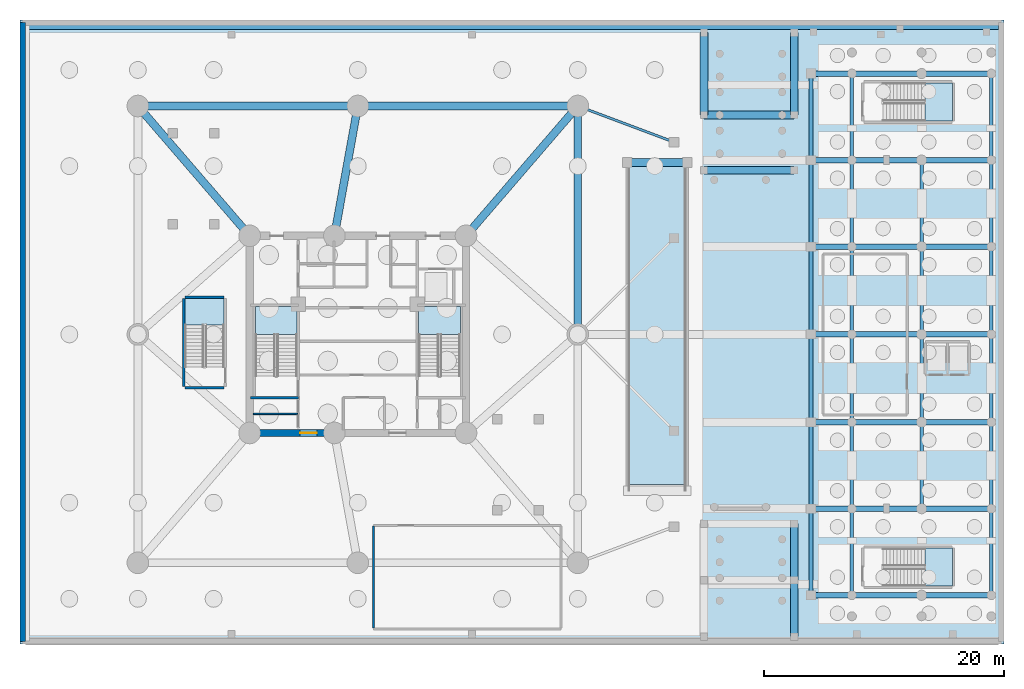
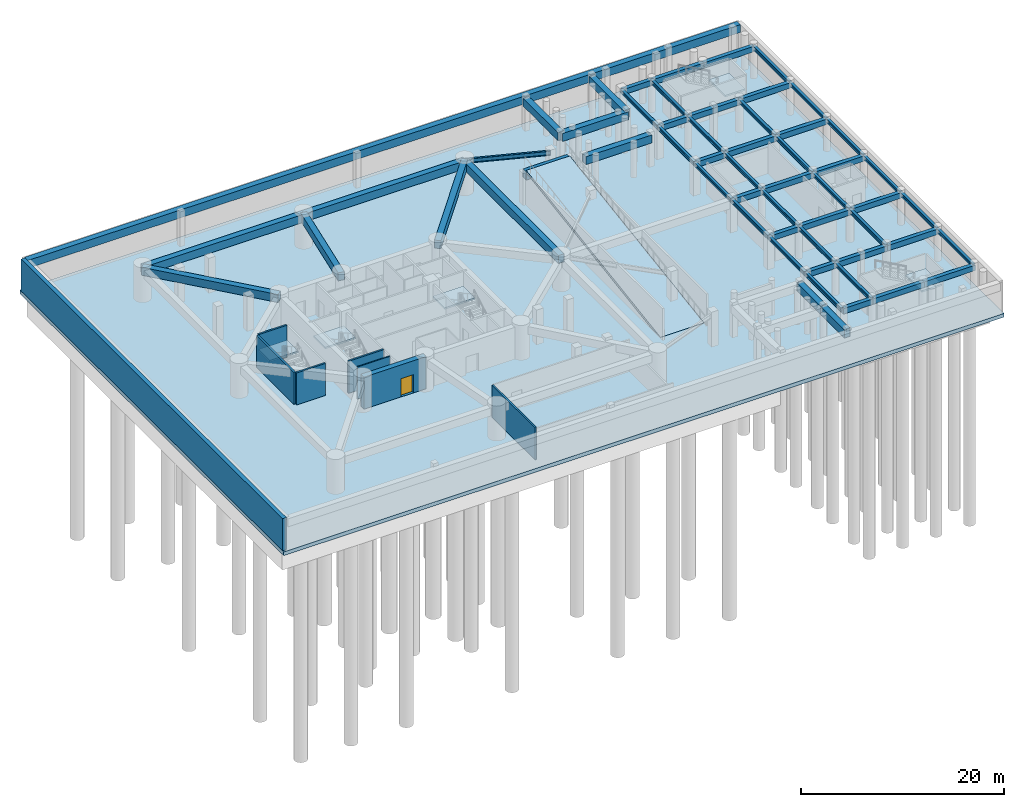
# One storey, part 3 of 13: 58 beams, 8 walls, 7 slabs, 1 door, 1 opening, 5 elements without a shape of their own.
"""IFC4 building model written with IfcOpenShell, lengths in metres."""

from ifc_helpers import new_model, si_unit, direction, frame, frame_2d, origin, origin_with_axes, origin_2d, place, context, subcontext, project, spatial, polyline, rectangle, i_section, outline, extrude, source, transform, mapped, material, layer, layer_set, material_profile, profile_set, type_object, element, fill, aggregate, save


model = new_model("IFC4")

# Units and contexts
model_context = context("Model", 3, precision=1e-05, world=origin(), true_north=direction((0.0, 1.0)))
body_context = subcontext(model_context, "Body", "Model", "MODEL_VIEW")
ifc_project = project(units=[si_unit("LENGTHUNIT", "METRE"), si_unit("AREAUNIT", "SQUARE_METRE"), si_unit("VOLUMEUNIT", "CUBIC_METRE"), si_unit("PLANEANGLEUNIT", "RADIAN"), si_unit("MASSUNIT", "GRAM", prefix="KILO")], contexts=[model_context])

# Site, building, storey
site_placement = place(None, origin())
site = spatial("IfcSite", under=ifc_project, at=site_placement, CompositionType="ELEMENT")
building_placement = place(site_placement, origin())
building = spatial("IfcBuilding", under=site, at=building_placement, Name="Karkom Vertical University and Central Library", CompositionType="ELEMENT")
storey_placement = place(building_placement, frame((0.0, 0.0, -8.39990234375)))
storey = spatial("IfcBuildingStorey", under=building, at=storey_placement, Name="B02", CompositionType="ELEMENT", Elevation=-8.39990234375)

# Beams
ifc_material_1 = material(Name="Concrete C50/60", Category="concrete")
ifc_material_profile_1 = material_profile(ifc_material_1, rectangle(XDim=0.64990234375, YDim=0.949951171875, at=origin_2d()), Name="RCG-650x950")
ifc_profile_set_1 = profile_set([ifc_material_profile_1], Name="Concrete C50/60")
beam_type_1 = type_object("IfcBeamType", Name="STR-BM-BG-1", PredefinedType="USERDEFINED", material=ifc_profile_set_1)
shared_shape_1 = source(origin_with_axes(), body_context, "Body", "SweptSolid", [
    extrude(rectangle(XDim=0.64990234375, YDim=0.949951171875, at=origin_2d()), origin(), (0.0, 0.0, 1.0), 18.300048828125),
])
for number, where, z_axis, x_axis, name in (
    (1, (10.199951171875, 45.5, 3.375), (1.0, 0.0, 0.0), (0.0, 1.0, 0.0), "Basement 02 Podium Primary Girder 07"),
    (2, (28.5, 45.5, 3.375), (1.0, 0.0, 0.0), (0.0, 1.0, 0.0), "Basement 02 Podium Primary Girder 08"),
):
    element("IfcBeam", number, at=place(storey_placement, frame(where, z_axis=z_axis, x_axis=x_axis)), inside=storey, type_object=beam_type_1, Name=name, ObjectType="GIRDER", PredefinedType="USERDEFINED", context=body_context, shape_type="MappedRepresentation", body=[
        mapped(shared_shape_1, transform((0.0, 0.0, 0.0), scale=1.0)),
    ])
shared_shape_2 = source(origin_with_axes(), body_context, "Body", "SweptSolid", [
    extrude(rectangle(XDim=0.64990234375, YDim=0.949951171875, at=origin_2d()), origin(), (0.0, 0.0, 1.0), 19.0),
])
beam_1_placement = place(storey_placement, frame((46.800048828125, 26.5, 3.375), z_axis=(0.0, 1.0, 0.0), x_axis=(-1.0, 0.0, 0.0)))
element("IfcBeam", 3, at=beam_1_placement, inside=storey, type_object=beam_type_1, Name="Basement 02 Podium Primary Girder 06", ObjectType="GIRDER", PredefinedType="USERDEFINED", context=body_context, shape_type="MappedRepresentation", body=[
    mapped(shared_shape_2, transform((0.0, 0.0, 0.0), scale=1.0)),
])
shared_shape_3 = source(origin_with_axes(), body_context, "Body", "SweptSolid", [
    extrude(rectangle(XDim=0.64990234375, YDim=0.949951171875, at=origin_2d()), origin(), (0.0, 0.0, 1.0), 14.25244140625),
])
for number, where, z_axis, x_axis, name in (
    (4, (10.199951171875, 45.5, 3.375), (0.652523408586, -0.757768567076, 0.0), (0.757768567076, 0.652523408586, 0.0), "Basement 02 Podium Primary Girder 12"),
    (5, (46.800048828125, 45.5, 3.375), (-0.652523408586, -0.757768567076, 0.0), (0.757768567076, -0.652523408586, 0.0), "Basement 02 Podium Primary Girder 14"),
):
    element("IfcBeam", number, at=place(storey_placement, frame(where, z_axis=z_axis, x_axis=x_axis)), inside=storey, type_object=beam_type_1, Name=name, ObjectType="GIRDER", PredefinedType="USERDEFINED", context=body_context, shape_type="MappedRepresentation", body=[
        mapped(shared_shape_3, transform((0.0, 0.0, 0.0), scale=1.0)),
    ])
shared_shape_4 = source(origin_with_axes(), body_context, "Body", "SweptSolid", [
    extrude(rectangle(XDim=0.64990234375, YDim=0.949951171875, at=origin_2d()), origin(), (0.0, 0.0, 1.0), 10.974609375),
])
beam_2_placement = place(storey_placement, frame((28.5, 45.5, 3.375), z_axis=(-0.177677443813, -0.984088779511, 0.0), x_axis=(0.984088779511, -0.177677443813, 0.0)))
element("IfcBeam", 6, at=beam_2_placement, inside=storey, type_object=beam_type_1, Name="Basement 02 Podium Primary Girder 13", ObjectType="GIRDER", PredefinedType="USERDEFINED", context=body_context, shape_type="MappedRepresentation", body=[
    mapped(shared_shape_4, transform((0.0, 0.0, 0.0), scale=1.0)),
])
ifc_material_2 = material(Name="Steel S355", Category="steel")
ifc_material_profile_2 = material_profile(ifc_material_2, i_section(OverallWidth=0.199951171875, OverallDepth=0.5, WebThickness=0.01025390625, FlangeThickness=0.01611328125, FilletRadius=0.02099609375, at=origin_2d()), Name="IPE 500")
ifc_profile_set_2 = profile_set([ifc_material_profile_2], Name="Steel S355")
beam_type_2 = type_object("IfcBeamType", Name="STR-BM-SB-IPE500", PredefinedType="BEAM", material=ifc_profile_set_2)
shared_shape_5 = source(origin_with_axes(), body_context, "Body", "SweptSolid", [
    extrude(i_section(OverallWidth=0.199951171875, OverallDepth=0.5, WebThickness=0.01025390625, FlangeThickness=0.01611328125, FilletRadius=0.02099609375, at=origin_2d()), origin(), (0.0, 0.0, 1.0), 8.5439453125),
])
beam_3_placement = place(storey_placement, frame((46.800048828125, 45.5, 3.599853515625), z_axis=(0.936329177569, -0.351123441588, 0.0), x_axis=(0.351123441588, 0.936329177569, 0.0)))
element("IfcBeam", 7, at=beam_3_placement, inside=storey, type_object=beam_type_2, Name="Basement 02 Arcade Tie Beam 4", PredefinedType="BEAM", context=body_context, shape_type="MappedRepresentation", body=[
    mapped(shared_shape_5, transform((0.0, 0.0, 0.0), scale=1.0)),
])
shared_shape_6 = source(origin_with_axes(), body_context, "Body", "SweptSolid", [
    extrude(rectangle(XDim=0.64990234375, YDim=0.949951171875, at=origin_2d()), origin(), (0.0, 0.0, 1.0), 80.949951171875),
])
beam_4_placement = place(storey_placement, frame((0.85009765625, 52.199951171875, 3.375), z_axis=(1.0, 0.0, 0.0), x_axis=(0.0, 1.0, 0.0)))
element("IfcBeam", 8, at=beam_4_placement, inside=storey, type_object=beam_type_1, Name="Basement 02 North Perimeter Rim Girder", ObjectType="GIRDER", PredefinedType="USERDEFINED", context=body_context, shape_type="MappedRepresentation", body=[
    mapped(shared_shape_6, transform((0.0, 0.0, 0.0), scale=1.0)),
])
shared_shape_7 = source(origin_with_axes(), body_context, "Body", "SweptSolid", [
    extrude(rectangle(XDim=0.64990234375, YDim=0.949951171875, at=origin_2d()), origin(), (0.0, 0.0, 1.0), 5.0),
])
beam_5_placement = place(storey_placement, frame((50.89990234375, 40.800048828125, 3.375), z_axis=(1.0, 0.0, 0.0), x_axis=(0.0, 1.0, 0.0)))
element("IfcBeam", 9, at=beam_5_placement, inside=storey, type_object=beam_type_1, Name="Basement 02 Vehicle Ramp Top Bearing Girder", ObjectType="GIRDER", PredefinedType="USERDEFINED", context=body_context, shape_type="MappedRepresentation", body=[
    mapped(shared_shape_7, transform((0.0, 0.0, 0.0), scale=1.0)),
])
shared_shape_8 = source(origin_with_axes(), body_context, "Body", "SweptSolid", [
    extrude(rectangle(XDim=0.64990234375, YDim=0.949951171875, at=origin_2d()), origin(), (0.0, 0.0, 1.0), 4.699951171875),
])
for number, where, z_axis, x_axis, name in (
    (10, (64.800048828125, 1.35009765625, 3.375), (0.0, 1.0, 0.0), (-1.0, 0.0, 0.0), "Basement 02 Forecourt Longitudinal Girder 2.1"),
    (11, (64.800048828125, 6.050048828125, 3.375), (0.0, 1.0, 0.0), (-1.0, 0.0, 0.0), "Basement 02 Forecourt Longitudinal Girder 2.2"),
):
    element("IfcBeam", number, at=place(storey_placement, frame(where, z_axis=z_axis, x_axis=x_axis)), inside=storey, type_object=beam_type_1, Name=name, ObjectType="GIRDER", PredefinedType="USERDEFINED", context=body_context, shape_type="MappedRepresentation", body=[
        mapped(shared_shape_8, transform((0.0, 0.0, 0.0), scale=1.0)),
    ])
shared_shape_9 = source(origin_with_axes(), body_context, "Body", "SweptSolid", [
    extrude(rectangle(XDim=0.64990234375, YDim=0.949951171875, at=origin_2d()), origin(), (0.0, 0.0, 1.0), 7.5),
])
for number, where, z_axis, x_axis, name in (
    (12, (57.300048828125, 40.14990234375, 3.375), (1.0, 0.0, 0.0), (0.0, 1.0, 0.0), "Basement 02 Forecourt Transverse Girder 4"),
    (13, (57.300048828125, 44.75, 3.375), (1.0, 0.0, 0.0), (0.0, 1.0, 0.0), "Basement 02 Forecourt Transverse Girder 5"),
):
    element("IfcBeam", number, at=place(storey_placement, frame(where, z_axis=z_axis, x_axis=x_axis)), inside=storey, type_object=beam_type_1, Name=name, ObjectType="GIRDER", PredefinedType="USERDEFINED", context=body_context, shape_type="MappedRepresentation", body=[
        mapped(shared_shape_9, transform((0.0, 0.0, 0.0), scale=1.0)),
    ])
shared_shape_10 = source(origin_with_axes(), body_context, "Body", "SweptSolid", [
    extrude(rectangle(XDim=0.64990234375, YDim=0.949951171875, at=origin_2d()), origin(), (0.0, 0.0, 1.0), 6.85009765625),
])
for number, where, z_axis, x_axis, name in (
    (14, (57.300048828125, 44.75, 3.375), (0.0, 1.0, 0.0), (-1.0, 0.0, 0.0), "Basement 02 Forecourt Longitudinal Girder 1.5"),
    (15, (64.800048828125, 44.75, 3.375), (0.0, 1.0, 0.0), (-1.0, 0.0, 0.0), "Basement 02 Forecourt Longitudinal Girder 2.5"),
):
    element("IfcBeam", number, at=place(storey_placement, frame(where, z_axis=z_axis, x_axis=x_axis)), inside=storey, type_object=beam_type_1, Name=name, ObjectType="GIRDER", PredefinedType="USERDEFINED", context=body_context, shape_type="MappedRepresentation", body=[
        mapped(shared_shape_10, transform((0.0, 0.0, 0.0), scale=1.0)),
    ])
ifc_material_3 = material(Name="Concrete C40/50", Category="concrete")
ifc_material_profile_3 = material_profile(ifc_material_3, rectangle(XDim=0.449951171875, YDim=0.64990234375, at=origin_2d()), Name="RCB-450x650")
ifc_profile_set_3 = profile_set([ifc_material_profile_3], Name="Concrete C40/50")
beam_type_3 = type_object("IfcBeamType", Name="STR-BM-BG-4", PredefinedType="USERDEFINED", material=ifc_profile_set_3)
shared_shape_11 = source(origin_with_axes(), body_context, "Body", "SweptSolid", [
    extrude(rectangle(XDim=0.449951171875, YDim=0.64990234375, at=origin_2d()), origin(), (0.0, 0.0, 1.0), 3.400146484375),
])
for number, where, z_axis, x_axis, name in (
    (16, (66.199951171875, 4.800048828125, 3.52490234375), (1.0, 0.0, 0.0), (0.0, 1.0, 0.0), "Basement 02 Library Transverse Girder 1.1"),
    (17, (66.199951171875, 12.0, 3.52490234375), (1.0, 0.0, 0.0), (0.0, 1.0, 0.0), "Basement 02 Library Transverse Girder 2.1"),
    (18, (66.199951171875, 19.199951171875, 3.52490234375), (1.0, 0.0, 0.0), (0.0, 1.0, 0.0), "Basement 02 Library Transverse Girder 3.1"),
    (19, (66.199951171875, 26.5, 3.52490234375), (1.0, 0.0, 0.0), (0.0, 1.0, 0.0), "Basement 02 Library Transverse Girder 4.1"),
    (20, (66.199951171875, 33.800048828125, 3.52490234375), (1.0, 0.0, 0.0), (0.0, 1.0, 0.0), "Basement 02 Library Transverse Girder 5.1"),
    (21, (66.199951171875, 41.0, 3.52490234375), (1.0, 0.0, 0.0), (0.0, 1.0, 0.0), "Basement 02 Library Transverse Girder 6.1"),
    (22, (66.199951171875, 48.199951171875, 3.52490234375), (1.0, 0.0, 0.0), (0.0, 1.0, 0.0), "Basement 02 Library Transverse Girder 7.1"),
):
    element("IfcBeam", number, at=place(storey_placement, frame(where, z_axis=z_axis, x_axis=x_axis)), inside=storey, type_object=beam_type_3, Name=name, ObjectType="GIRDER", PredefinedType="USERDEFINED", context=body_context, shape_type="MappedRepresentation", body=[
        mapped(shared_shape_11, transform((0.0, 0.0, 0.0), scale=1.0)),
    ])
shared_shape_12 = source(origin_with_axes(), body_context, "Body", "SweptSolid", [
    extrude(rectangle(XDim=0.449951171875, YDim=0.64990234375, at=origin_2d()), origin(), (0.0, 0.0, 1.0), 5.7998046875),
])
for number, where, z_axis, x_axis, name in (
    (23, (69.60009765625, 4.800048828125, 3.52490234375), (1.0, 0.0, 0.0), (0.0, 1.0, 0.0), "Basement 02 Library Transverse Girder 1.2"),
    (24, (69.60009765625, 12.0, 3.52490234375), (1.0, 0.0, 0.0), (0.0, 1.0, 0.0), "Basement 02 Library Transverse Girder 2.2"),
    (25, (69.60009765625, 19.199951171875, 3.52490234375), (1.0, 0.0, 0.0), (0.0, 1.0, 0.0), "Basement 02 Library Transverse Girder 3.2"),
    (26, (69.60009765625, 26.5, 3.52490234375), (1.0, 0.0, 0.0), (0.0, 1.0, 0.0), "Basement 02 Library Transverse Girder 4.2"),
    (27, (69.60009765625, 33.800048828125, 3.52490234375), (1.0, 0.0, 0.0), (0.0, 1.0, 0.0), "Basement 02 Library Transverse Girder 5.2"),
    (28, (69.60009765625, 41.0, 3.52490234375), (1.0, 0.0, 0.0), (0.0, 1.0, 0.0), "Basement 02 Library Transverse Girder 6.2"),
    (29, (69.60009765625, 48.199951171875, 3.52490234375), (1.0, 0.0, 0.0), (0.0, 1.0, 0.0), "Basement 02 Library Transverse Girder 7.2"),
):
    element("IfcBeam", number, at=place(storey_placement, frame(where, z_axis=z_axis, x_axis=x_axis)), inside=storey, type_object=beam_type_3, Name=name, ObjectType="GIRDER", PredefinedType="USERDEFINED", context=body_context, shape_type="MappedRepresentation", body=[
        mapped(shared_shape_12, transform((0.0, 0.0, 0.0), scale=1.0)),
    ])
shared_shape_13 = source(origin_with_axes(), body_context, "Body", "SweptSolid", [
    extrude(rectangle(XDim=0.449951171875, YDim=0.64990234375, at=origin_2d()), origin(), (0.0, 0.0, 1.0), 5.800048828125),
])
for number, where, z_axis, x_axis, name in (
    (30, (75.39990234375, 4.800048828125, 3.52490234375), (1.0, 0.0, 0.0), (0.0, 1.0, 0.0), "Basement 02 Library Transverse Girder 1.3"),
    (31, (75.39990234375, 12.0, 3.52490234375), (1.0, 0.0, 0.0), (0.0, 1.0, 0.0), "Basement 02 Library Transverse Girder 2.3"),
    (32, (75.39990234375, 19.199951171875, 3.52490234375), (1.0, 0.0, 0.0), (0.0, 1.0, 0.0), "Basement 02 Library Transverse Girder 3.3"),
    (33, (75.39990234375, 26.5, 3.52490234375), (1.0, 0.0, 0.0), (0.0, 1.0, 0.0), "Basement 02 Library Transverse Girder 4.3"),
    (34, (75.39990234375, 33.800048828125, 3.52490234375), (1.0, 0.0, 0.0), (0.0, 1.0, 0.0), "Basement 02 Library Transverse Girder 5.3"),
    (35, (75.39990234375, 41.0, 3.52490234375), (1.0, 0.0, 0.0), (0.0, 1.0, 0.0), "Basement 02 Library Transverse Girder 6.3"),
    (36, (75.39990234375, 48.199951171875, 3.52490234375), (1.0, 0.0, 0.0), (0.0, 1.0, 0.0), "Basement 02 Library Transverse Girder 7.3"),
):
    element("IfcBeam", number, at=place(storey_placement, frame(where, z_axis=z_axis, x_axis=x_axis)), inside=storey, type_object=beam_type_3, Name=name, ObjectType="GIRDER", PredefinedType="USERDEFINED", context=body_context, shape_type="MappedRepresentation", body=[
        mapped(shared_shape_13, transform((0.0, 0.0, 0.0), scale=1.0)),
    ])
ifc_material_profile_4 = material_profile(ifc_material_2, i_section(OverallWidth=0.300048828125, OverallDepth=0.449951171875, WebThickness=0.013916015625, FlangeThickness=0.02587890625, FilletRadius=0.027099609375, at=origin_2d()), Name="HE 450 B")
ifc_profile_set_4 = profile_set([ifc_material_profile_4], Name="Steel S355")
beam_type_4 = type_object("IfcBeamType", Name="STR-BM-SB-HE450", PredefinedType="BEAM", material=ifc_profile_set_4)
shared_shape_14 = source(origin_with_axes(), body_context, "Body", "SweptSolid", [
    extrude(i_section(OverallWidth=0.300048828125, OverallDepth=0.449951171875, WebThickness=0.013916015625, FlangeThickness=0.02587890625, FilletRadius=0.027099609375, at=origin_2d()), origin(), (0.0, 0.0, 1.0), 7.199951171875),
])
for number, where, z_axis, x_axis, name in (
    (37, (66.199951171875, 4.800048828125, 3.625), (0.0, 1.0, 0.0), (-1.0, 0.0, 0.0), "Basement 02 Library Longitudinal Beam 1.1"),
    (38, (66.199951171875, 12.0, 3.625), (0.0, 1.0, 0.0), (-1.0, 0.0, 0.0), "Basement 02 Library Longitudinal Beam 1.2"),
    (39, (66.199951171875, 33.800048828125, 3.625), (0.0, 1.0, 0.0), (-1.0, 0.0, 0.0), "Basement 02 Library Longitudinal Beam 1.5"),
    (40, (66.199951171875, 41.0, 3.625), (0.0, 1.0, 0.0), (-1.0, 0.0, 0.0), "Basement 02 Library Longitudinal Beam 1.6"),
    (41, (69.60009765625, 4.800048828125, 3.625), (0.0, 1.0, 0.0), (-1.0, 0.0, 0.0), "Basement 02 Library Longitudinal Beam 2.1"),
    (42, (69.60009765625, 12.0, 3.625), (0.0, 1.0, 0.0), (-1.0, 0.0, 0.0), "Basement 02 Library Longitudinal Beam 2.2"),
    (43, (69.60009765625, 33.800048828125, 3.625), (0.0, 1.0, 0.0), (-1.0, 0.0, 0.0), "Basement 02 Library Longitudinal Beam 2.5"),
    (44, (69.60009765625, 41.0, 3.625), (0.0, 1.0, 0.0), (-1.0, 0.0, 0.0), "Basement 02 Library Longitudinal Beam 2.6"),
    (45, (75.39990234375, 12.0, 3.625), (0.0, 1.0, 0.0), (-1.0, 0.0, 0.0), "Basement 02 Library Longitudinal Beam 3.2"),
    (46, (75.39990234375, 33.800048828125, 3.625), (0.0, 1.0, 0.0), (-1.0, 0.0, 0.0), "Basement 02 Library Longitudinal Beam 3.5"),
    (47, (81.199951171875, 4.800048828125, 3.625), (0.0, 1.0, 0.0), (-1.0, 0.0, 0.0), "Basement 02 Library Longitudinal Beam 4.1"),
    (48, (81.199951171875, 12.0, 3.625), (0.0, 1.0, 0.0), (-1.0, 0.0, 0.0), "Basement 02 Library Longitudinal Beam 4.2"),
    (49, (81.199951171875, 33.800048828125, 3.625), (0.0, 1.0, 0.0), (-1.0, 0.0, 0.0), "Basement 02 Library Longitudinal Beam 4.5"),
    (50, (81.199951171875, 41.0, 3.625), (0.0, 1.0, 0.0), (-1.0, 0.0, 0.0), "Basement 02 Library Longitudinal Beam 4.6"),
):
    element("IfcBeam", number, at=place(storey_placement, frame(where, z_axis=z_axis, x_axis=x_axis)), inside=storey, type_object=beam_type_4, Name=name, PredefinedType="BEAM", context=body_context, shape_type="MappedRepresentation", body=[
        mapped(shared_shape_14, transform((0.0, 0.0, 0.0), scale=1.0)),
    ])
shared_shape_15 = source(origin_with_axes(), body_context, "Body", "SweptSolid", [
    extrude(i_section(OverallWidth=0.300048828125, OverallDepth=0.449951171875, WebThickness=0.013916015625, FlangeThickness=0.02587890625, FilletRadius=0.027099609375, at=origin_2d()), origin(), (0.0, 0.0, 1.0), 7.300048828125),
])
for number, where, z_axis, x_axis, name in (
    (51, (66.199951171875, 19.199951171875, 3.625), (0.0, 1.0, 0.0), (-1.0, 0.0, 0.0), "Basement 02 Library Longitudinal Beam 1.3"),
    (52, (66.199951171875, 26.5, 3.625), (0.0, 1.0, 0.0), (-1.0, 0.0, 0.0), "Basement 02 Library Longitudinal Beam 1.4"),
    (53, (69.60009765625, 19.199951171875, 3.625), (0.0, 1.0, 0.0), (-1.0, 0.0, 0.0), "Basement 02 Library Longitudinal Beam 2.3"),
    (54, (69.60009765625, 26.5, 3.625), (0.0, 1.0, 0.0), (-1.0, 0.0, 0.0), "Basement 02 Library Longitudinal Beam 2.4"),
    (55, (75.39990234375, 19.199951171875, 3.625), (0.0, 1.0, 0.0), (-1.0, 0.0, 0.0), "Basement 02 Library Longitudinal Beam 3.3"),
    (56, (75.39990234375, 26.5, 3.625), (0.0, 1.0, 0.0), (-1.0, 0.0, 0.0), "Basement 02 Library Longitudinal Beam 3.4"),
    (57, (81.199951171875, 19.199951171875, 3.625), (0.0, 1.0, 0.0), (-1.0, 0.0, 0.0), "Basement 02 Library Longitudinal Beam 4.3"),
    (58, (81.199951171875, 26.5, 3.625), (0.0, 1.0, 0.0), (-1.0, 0.0, 0.0), "Basement 02 Library Longitudinal Beam 4.4"),
):
    element("IfcBeam", number, at=place(storey_placement, frame(where, z_axis=z_axis, x_axis=x_axis)), inside=storey, type_object=beam_type_4, Name=name, PredefinedType="BEAM", context=body_context, shape_type="MappedRepresentation", body=[
        mapped(shared_shape_15, transform((0.0, 0.0, 0.0), scale=1.0)),
    ])

# Stair, slab
ifc_material_4 = material(Name="Concrete C45/55", Category="concrete")
stair_type_1 = type_object("IfcStairType", Name="INT-STR-ST-MAIN", PredefinedType="HALF_TURN_STAIR", material=ifc_material_4)
stair_1_placement = place(storey_placement, origin())
stair_1 = element("IfcStair", 59, at=stair_1_placement, inside=storey, type_object=stair_type_1, Name="Basement 02 Tower Protected Exit Stair ST-1", PredefinedType="HALF_TURN_STAIR")
ifc_layer_1 = layer(ifc_material_4, 0.199951171875)
ifc_layer_set_1 = layer_set([ifc_layer_1], Name="Concrete C45/55")
slab_type_1 = type_object("IfcSlabType", Name="INT-SLB-LANDING", PredefinedType="LANDING", material=ifc_layer_set_1)
slab_1_placement = place(storey_placement, frame((0.0, 0.0, 1.89990234375)))
slab_1 = element("IfcSlab", 60, at=slab_1_placement, type_object=slab_type_1, Name="ST-1 landing 1", PredefinedType="LANDING", context=body_context, shape_type="SweptSolid", body=[
    extrude(outline(polyline([(23.43994140625, 26.5), (23.43994140625, 28.820068359375), (19.97998046875, 28.820068359375), (19.97998046875, 26.5), (23.43994140625, 26.5)])), origin(), (0.0, 0.0, 1.0), 0.199951171875),
])
aggregate(stair_1, [slab_1])

stair_2_placement = place(storey_placement, origin())
stair_2 = element("IfcStair", 61, at=stair_2_placement, inside=storey, type_object=stair_type_1, Name="Basement 02 Tower Protected Exit Stair ST-2", PredefinedType="HALF_TURN_STAIR")
slab_2_placement = place(storey_placement, frame((0.0, 0.0, 1.89990234375)))
slab_2 = element("IfcSlab", 62, at=slab_2_placement, type_object=slab_type_1, Name="ST-2 landing 1", PredefinedType="LANDING", context=body_context, shape_type="SweptSolid", body=[
    extrude(outline(polyline([(37.02001953125, 26.5), (37.02001953125, 28.820068359375), (33.56005859375, 28.820068359375), (33.56005859375, 26.5), (37.02001953125, 26.5)])), origin(), (0.0, 0.0, 1.0), 0.199951171875),
])
aggregate(stair_2, [slab_2])

stair_type_2 = type_object("IfcStairType", Name="INT-STR-ST-SEC", PredefinedType="HALF_TURN_STAIR", material=ifc_material_4)
stair_3_placement = place(storey_placement, origin())
stair_3 = element("IfcStair", 63, at=stair_3_placement, inside=storey, type_object=stair_type_2, Name="Basement 02 Academic Zone Protected Exit Stair ST-3", PredefinedType="HALF_TURN_STAIR")
slab_3_placement = place(storey_placement, frame((0.0, 0.0, 1.89990234375)))
slab_3 = element("IfcSlab", 64, at=slab_3_placement, type_object=slab_type_1, Name="ST-3 landing 1", PredefinedType="LANDING", context=body_context, shape_type="SweptSolid", body=[
    extrude(outline(polyline([(17.3798828125, 27.280029296875), (17.3798828125, 29.5), (14.1201171875, 29.5), (14.1201171875, 27.280029296875), (17.3798828125, 27.280029296875)])), origin(), (0.0, 0.0, 1.0), 0.199951171875),
])
aggregate(stair_3, [slab_3])

stair_type_3 = type_object("IfcStairType", Name="INT-STR-ST-LIB", PredefinedType="HALF_TURN_STAIR", material=ifc_material_4)
stair_4_placement = place(storey_placement, origin())
stair_4 = element("IfcStair", 65, at=stair_4_placement, inside=storey, type_object=stair_type_3, Name="Basement 02 Central Library South Exit Stair LIB-ST1", PredefinedType="HALF_TURN_STAIR")
slab_4_placement = place(storey_placement, frame((0.0, 0.0, 1.89990234375)))
slab_4 = element("IfcSlab", 66, at=slab_4_placement, type_object=slab_type_1, Name="LIB-ST1 landing 1", PredefinedType="LANDING", context=body_context, shape_type="SweptSolid", body=[
    extrude(outline(polyline([(75.679931640625, 5.550048828125), (77.949951171875, 5.550048828125), (77.949951171875, 8.7099609375), (75.679931640625, 8.7099609375), (75.679931640625, 5.550048828125)])), origin(), (0.0, 0.0, 1.0), 0.199951171875),
])
aggregate(stair_4, [slab_4])

stair_5_placement = place(storey_placement, origin())
stair_5 = element("IfcStair", 67, at=stair_5_placement, inside=storey, type_object=stair_type_3, Name="Basement 02 Central Library North Exit Stair LIB-ST2", PredefinedType="HALF_TURN_STAIR")
slab_5_placement = place(storey_placement, frame((0.0, 0.0, 1.89990234375)))
slab_5 = element("IfcSlab", 68, at=slab_5_placement, type_object=slab_type_1, Name="LIB-ST2 landing 1", PredefinedType="LANDING", context=body_context, shape_type="SweptSolid", body=[
    extrude(outline(polyline([(75.679931640625, 44.25), (77.949951171875, 44.25), (77.949951171875, 47.409912109375), (75.679931640625, 47.409912109375), (75.679931640625, 44.25)])), origin(), (0.0, 0.0, 1.0), 0.199951171875),
])
aggregate(stair_5, [slab_5])

# Slabs
ifc_layer_2 = layer(ifc_material_1, 0.449951171875)
ifc_layer_set_2 = layer_set([ifc_layer_2], Name="Concrete C50/60")
slab_type_2 = type_object("IfcSlabType", Name="STR-SLB-BASE-450", PredefinedType="BASESLAB", material=ifc_layer_set_2)
slab_6_placement = place(storey_placement, frame((0.0, 0.0, -0.4501953125)))
element("IfcSlab", 69, at=slab_6_placement, inside=storey, type_object=slab_type_2, Name="Basement 02 Monolithic Basement Base Slab", PredefinedType="BASESLAB", context=body_context, shape_type="SweptSolid", body=[
    extrude(outline(polyline([(0.39990234375, 0.75), (82.25, 0.75), (82.25, 52.64990234375), (0.39990234375, 52.64990234375), (0.39990234375, 0.75)])), origin(), (0.0, 0.0, 1.0), 0.4501953125),
])
ifc_layer_3 = layer(ifc_material_4, 0.27490234375)
ifc_layer_set_3 = layer_set([ifc_layer_3], Name="Concrete C45/55")
slab_type_3 = type_object("IfcSlabType", Name="STR-SLB-FLR-275", PredefinedType="FLOOR", material=ifc_layer_set_3)
slab_7_placement = place(storey_placement, frame((50.919921875, 14.02001953125, -0.0107421875), z_axis=(0.0, -0.150701778908, 0.988579270385), x_axis=(1.0, 0.0, 0.0)))
element("IfcSlab", 70, at=slab_7_placement, inside=storey, type_object=slab_type_3, Name="Basement 02 Car Park Vehicle Ramp VR-1 Flight 1 Structural Slab", PredefinedType="FLOOR", context=body_context, shape_type="SweptSolid", body=[
    extrude(outline(polyline([(0.0, 0.0), (4.9599609375, 0.0), (4.9599609375, 26.81627114769673), (0.0, 26.81627114769673), (0.0, 0.0)])), origin(), (0.0, 0.0, -1.0), 0.27490234375),
])

# Walls
ifc_material_5 = material(Name="Metal-stud gypsum partition 140mm", Category="gypsum")
ifc_layer_4 = layer(ifc_material_5, 0.139892578125)
ifc_layer_set_4 = layer_set([ifc_layer_4], Name="Metal-stud gypsum partition 140mm")
wall_type_1 = type_object("IfcWallType", Name="INT-WL-SUB-140H", PredefinedType="PARTITIONING", material=ifc_layer_set_4)
wall_1_placement = place(storey_placement, frame((19.806884765625, 19.889892578125, 0.0), z_axis=(0.0, 0.0, 1.0), x_axis=(1.0, 0.0, 0.0)))
element("IfcWall", 71, at=wall_1_placement, inside=storey, type_object=wall_type_1, Name="Basement 02 Interior Partition Wall B02-CW-RIS-W", PredefinedType="PARTITIONING", context=body_context, shape_type="SweptSolid", body=[
    extrude(rectangle(XDim=3.68896484375, YDim=0.139892578125, at=frame_2d((1.844482421875, 0.0))), origin(), (0.0, 0.0, 1.0), 3.849853515625),
])
ifc_material_6 = material(Name="Twin-stud acoustic drywall 180mm", Category="gypsum")
ifc_layer_5 = layer(ifc_material_6, 0.179931640625)
ifc_layer_set_5 = layer_set([ifc_layer_5], Name="Twin-stud acoustic drywall 180mm")
wall_type_2 = type_object("IfcWallType", Name="INT-WL-TEN-180F", PredefinedType="PARTITIONING", material=ifc_layer_set_5)
wall_2_placement = place(storey_placement, frame((29.800048828125, 2.06005859375, 0.0), z_axis=(0.0, 0.0, 1.0), x_axis=(0.0, 1.0, 0.0)))
element("IfcWall", 72, at=wall_2_placement, inside=storey, type_object=wall_type_2, Name="Basement 02 Interior Partition Wall B02-PW-PLTW-W", PredefinedType="PARTITIONING", context=body_context, shape_type="SweptSolid", body=[
    extrude(rectangle(XDim=8.47998046875, YDim=0.179931640625, at=frame_2d((4.239990234375, 0.0))), origin(), (0.0, 0.0, 1.0), 3.849853515625),
])

# Wall, opening, door
ifc_layer_6 = layer(ifc_material_1, 0.60009765625)
ifc_layer_set_6 = layer_set([ifc_layer_6], Name="Concrete C50/60")
wall_type_3 = type_object("IfcWallType", Name="STR-WL-CW-600", PredefinedType="SHEAR", material=ifc_layer_set_6)
wall_3_placement = place(storey_placement, frame((19.5, 18.300048828125, 0.0), z_axis=(0.0, 0.0, 1.0), x_axis=(1.0, 0.0, 0.0)))
wall_3 = element("IfcWall", 73, at=wall_3_placement, inside=storey, type_object=wall_type_3, Name="Basement 02 Central Core Shear Wall SW1", PredefinedType="SHEAR", context=body_context, shape_type="SweptSolid", body=[
    extrude(rectangle(XDim=7.050048828125, YDim=0.60009765625, at=frame_2d((3.52490234375, 0.0))), origin(), (0.0, 0.0, 1.0), 3.849853515625),
])
opening_placement = place(wall_3_placement, frame((4.199951171875, 0.0, 0.0)))
opening = element("IfcOpeningElement", 74, at=opening_placement, cuts=wall_3, Name="Opening FD-CLB", PredefinedType="OPENING", context=body_context, shape_type="SweptSolid", body=[
    extrude(rectangle(XDim=1.39990234375, YDim=2.199951171875, at=frame_2d((0.699951171875, 1.10009765625))), frame((0.0, 0.31005859375, 0.0), z_axis=(0.0, -1.0, 0.0), x_axis=(1.0, 0.0, 0.0)), (0.0, 0.0, 1.0), 0.6201171875),
])
ifc_material_7 = material(Name="Painted steel fire door", Category="steel")
door_type = type_object("IfcDoorType", Name="INT-DR-CLB", OperationType="DOUBLE_DOOR_SINGLE_SWING", PredefinedType="DOOR", material=ifc_material_7)
shared_shape_16 = source(origin_with_axes(), body_context, "Body", "SweptSolid", [
    extrude(rectangle(XDim=1.39990234375, YDim=2.199951171875, at=frame_2d((0.699951171875, 1.10009765625))), frame((0.0, 0.02490234375, 0.0), z_axis=(0.0, -1.0, 0.0), x_axis=(1.0, 0.0, 0.0)), (0.0, 0.0, 1.0), 0.050048828125),
])
door_placement = place(opening_placement, origin())
door = element("IfcDoor", 75, at=door_placement, inside=storey, type_object=door_type, Name="Basement 02 South Core Lobby West Exit Door", OperationType="DOUBLE_DOOR_SINGLE_SWING", OverallHeight=2.199951171875, OverallWidth=1.39990234375, PredefinedType="DOOR", context=body_context, shape_type="MappedRepresentation", body=[
    mapped(shared_shape_16, transform((0.0, 0.0, 0.0), scale=1.0)),
])
fill(opening, door)

# Walls
ifc_layer_7 = layer(ifc_material_1, 0.449951171875)
ifc_layer_set_7 = layer_set([ifc_layer_7], Name="Concrete C50/60")
wall_type_4 = type_object("IfcWallType", Name="STR-WL-RW-450", PredefinedType="USERDEFINED", material=ifc_layer_set_7)
wall_4_placement = place(storey_placement, frame((0.6201171875, 52.429931640625, 0.0), z_axis=(0.0, 0.0, 1.0), x_axis=(0.0, -1.0, 0.0)))
element("IfcWall", 76, at=wall_4_placement, inside=storey, type_object=wall_type_4, Name="Basement 02 Perimeter Retaining Wall 4", ObjectType="RETAINING WALL", PredefinedType="USERDEFINED", context=body_context, shape_type="SweptSolid", body=[
    extrude(rectangle(XDim=51.4599609375, YDim=0.449951171875, at=frame_2d((25.72998046875, 0.0))), origin(), (0.0, 0.0, 1.0), 3.849853515625),
])
ifc_layer_8 = layer(ifc_material_4, 0.199951171875)
ifc_layer_set_8 = layer_set([ifc_layer_8], Name="Concrete C45/55")
wall_type_5 = type_object("IfcWallType", Name="STR-WL-ST-200", PredefinedType="SHEAR", material=ifc_layer_set_8)
wall_5_placement = place(storey_placement, frame((14.014892578125, 22.14990234375, 0.0), z_axis=(0.0, 0.0, 1.0), x_axis=(0.0, 1.0, 0.0)))
element("IfcWall", 77, at=wall_5_placement, inside=storey, type_object=wall_type_5, Name="Basement 02 Core Shaft Wall B02-W-ST3-W", PredefinedType="SHEAR", context=body_context, shape_type="SweptSolid", body=[
    extrude(rectangle(XDim=7.35009765625, YDim=0.199951171875, at=frame_2d((3.675048828125, 0.0))), origin(), (0.0, 0.0, 1.0), 3.849853515625),
])
wall_6_placement = place(storey_placement, frame((19.550048828125, 21.215087890625, 0.0), z_axis=(0.0, 0.0, 1.0), x_axis=(1.0, 0.0, 0.0)))
element("IfcWall", 78, at=wall_6_placement, inside=storey, type_object=wall_type_5, Name="Basement 02 Core Shaft Wall B02-CW-ST1-S", PredefinedType="SHEAR", context=body_context, shape_type="SweptSolid", body=[
    extrude(rectangle(XDim=3.994873046875, YDim=0.199951171875, at=frame_2d((1.99755859375, 0.0))), origin(), (0.0, 0.0, 1.0), 3.849853515625),
])
for number, where, z_axis, x_axis, name in (
    (79, (14.1201171875, 22.044921875, 0.0), (0.0, 0.0, 1.0), (1.0, 0.0, 0.0), "Basement 02 Core Shaft Wall B02-W-ST3-S"),
    (80, (14.1201171875, 29.60498046875, 0.0), (0.0, 0.0, 1.0), (1.0, 0.0, 0.0), "Basement 02 Core Shaft Wall B02-W-ST3-N"),
):
    element("IfcWall", number, at=place(storey_placement, frame(where, z_axis=z_axis, x_axis=x_axis)), inside=storey, type_object=wall_type_5, Name=name, PredefinedType="SHEAR", context=body_context, shape_type="SweptSolid", body=[
        extrude(rectangle(XDim=3.259765625, YDim=0.199951171875, at=frame_2d((1.6298828125, 0.0))), origin(), (0.0, 0.0, 1.0), 3.849853515625),
    ])

save(model, "model.ifc")
